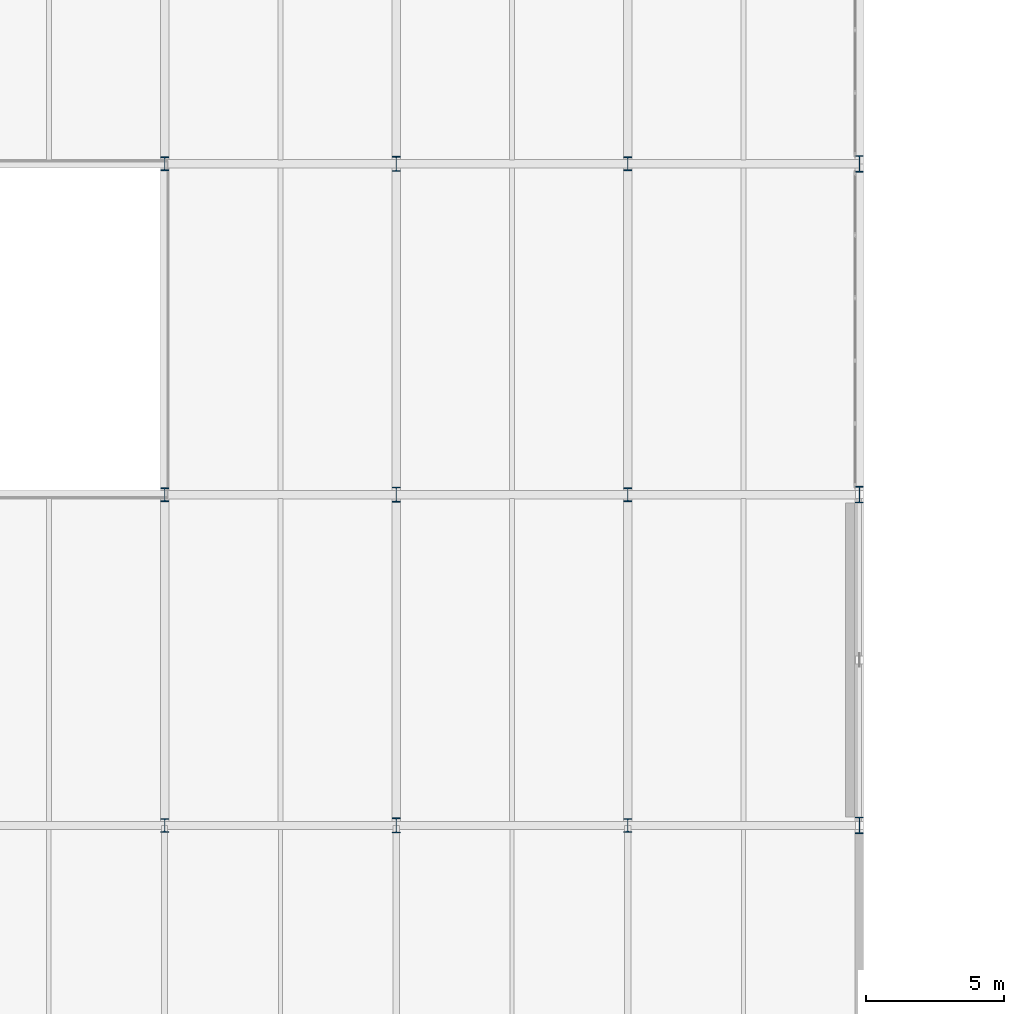
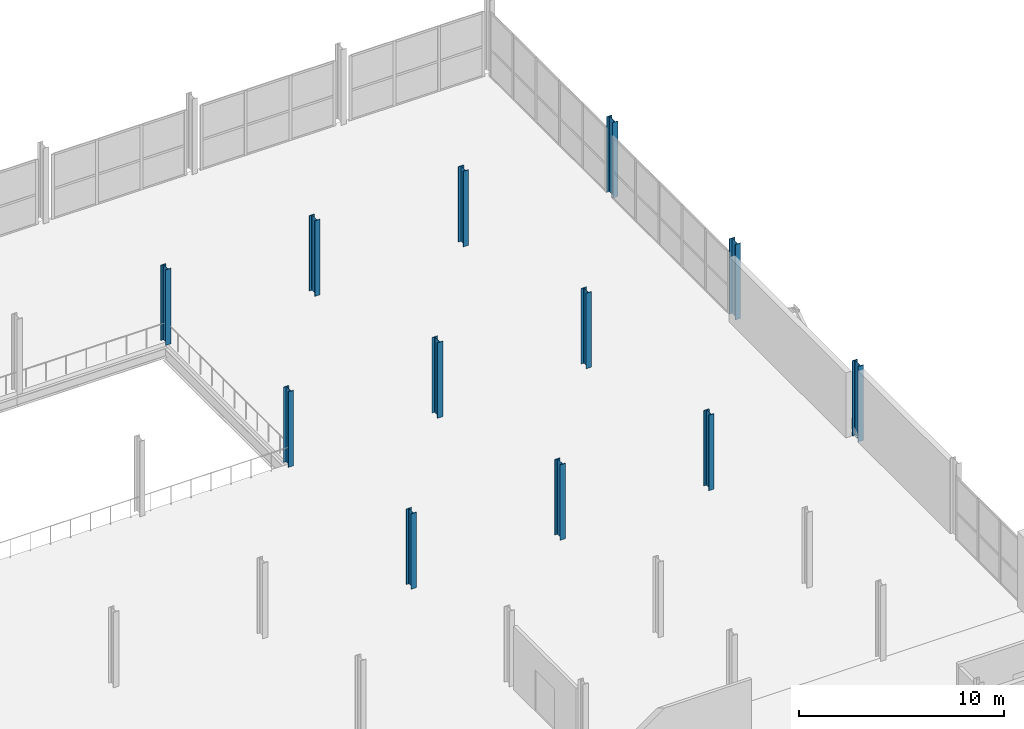
# One storey, part 6 of 109: 12 columns.
"""IFC4 building model written with IfcOpenShell, lengths in metres."""

from ifc_helpers import new_model, si_unit, direction, frame, origin, origin_2d, place, context, subcontext, project, spatial, i_section, extrude, material, material_profile, profile_set, type_object, element, save


model = new_model("IFC4")

# Units and contexts
model_context = context("Model", 3, precision=1e-05, world=origin(), true_north=direction((0.0, 1.0)))
body_context = subcontext(model_context, "Body", "Model", "MODEL_VIEW")
ifc_project = project(units=[si_unit("LENGTHUNIT", "METRE"), si_unit("AREAUNIT", "SQUARE_METRE"), si_unit("VOLUMEUNIT", "CUBIC_METRE"), si_unit("PLANEANGLEUNIT", "RADIAN"), si_unit("MASSUNIT", "GRAM", prefix="KILO")], contexts=[model_context])

# Site, building, storey
site_placement = place(None, origin())
site = spatial("IfcSite", under=ifc_project, at=site_placement, CompositionType="ELEMENT")
building_placement = place(site_placement, origin())
building = spatial("IfcBuilding", under=site, at=building_placement, Name="Veltarok Museum of Natural Sciences", CompositionType="ELEMENT")
storey_placement = place(building_placement, frame((0.0, 0.0, 17.39990234375)))
storey = spatial("IfcBuildingStorey", under=building, at=storey_placement, Name="L03", CompositionType="ELEMENT", Elevation=17.39990234375)

# Columns
ifc_material = material(Name="Steel S355J2", Category="steel")
ifc_material_profile_1 = material_profile(ifc_material, i_section(OverallWidth=0.300048828125, OverallDepth=0.550048828125, WebThickness=0.014892578125, FlangeThickness=0.029052734375, FilletRadius=0.027099609375, at=origin_2d()), Name="HEB 550")
ifc_profile_set_1 = profile_set([ifc_material_profile_1], Name="Steel S355J2")
column_type_1 = type_object("IfcColumnType", Name="Mid-Rise Hall Column HEB 550", PredefinedType="COLUMN", material=ifc_profile_set_1)
for number, where, z_axis, x_axis, name in (
    (1, (82.0, 36.0, 0.0), (0.0, 0.0, 1.0), (1.0, 0.0, 0.0), "Column COL-S10 L03 10/E"),
    (2, (82.0, 48.0, 0.0), (0.0, 0.0, 1.0), (1.0, 0.0, 0.0), "Column COL-S10 L03 10/F"),
    (3, (82.0, 60.0, 0.0), (0.0, 0.0, 1.0), (1.0, 0.0, 0.0), "Column COL-S10 L03 10/G"),
):
    element("IfcColumn", number, at=place(storey_placement, frame(where, z_axis=z_axis, x_axis=x_axis)), inside=storey, type_object=column_type_1, Name=name, PredefinedType="COLUMN", context=body_context, shape_type="SweptSolid", body=[
        extrude(i_section(OverallWidth=0.300048828125, OverallDepth=0.550048828125, WebThickness=0.014892578125, FlangeThickness=0.029052734375, FilletRadius=0.027099609375, at=origin_2d()), origin(), (0.0, 0.0, 1.0), 4.5),
    ])
ifc_material_profile_2 = material_profile(ifc_material, i_section(OverallWidth=0.300048828125, OverallDepth=0.60009765625, WebThickness=0.015380859375, FlangeThickness=0.030029296875, FilletRadius=0.027099609375, at=origin_2d()), Name="HEB 600")
ifc_profile_set_2 = profile_set([ifc_material_profile_2], Name="Steel S355J2")
column_type_2 = type_object("IfcColumnType", Name="Perimeter Passage Column HEB 600", PredefinedType="COLUMN", material=ifc_profile_set_2)
for number, where, z_axis, x_axis, name in (
    (4, (98.800048828125, 36.0, 0.0), (0.0, 0.0, 1.0), (1.0, 0.0, 0.0), "Column COL-EXT02 L03 12/E"),
    (5, (98.800048828125, 48.0, 0.0), (0.0, 0.0, 1.0), (1.0, 0.0, 0.0), "Column COL-EXT02 L03 12/F"),
    (6, (98.800048828125, 60.0, 0.0), (0.0, 0.0, 1.0), (1.0, 0.0, 0.0), "Column COL-EXT02 L03 12/G"),
):
    element("IfcColumn", number, at=place(storey_placement, frame(where, z_axis=z_axis, x_axis=x_axis)), inside=storey, type_object=column_type_2, Name=name, PredefinedType="COLUMN", context=body_context, shape_type="SweptSolid", body=[
        extrude(i_section(OverallWidth=0.300048828125, OverallDepth=0.60009765625, WebThickness=0.015380859375, FlangeThickness=0.030029296875, FilletRadius=0.027099609375, at=origin_2d()), origin(), (0.0, 0.0, 1.0), 4.5),
    ])
ifc_material_profile_3 = material_profile(ifc_material, i_section(OverallWidth=0.300048828125, OverallDepth=0.5, WebThickness=0.014404296875, FlangeThickness=0.028076171875, FilletRadius=0.027099609375, at=origin_2d()), Name="HEB 500")
ifc_profile_set_3 = profile_set([ifc_material_profile_3], Name="Steel S355J2")
column_type_3 = type_object("IfcColumnType", Name="Upper Gallery Column HEB 500", PredefinedType="COLUMN", material=ifc_profile_set_3)
for number, where, z_axis, x_axis, name in (
    (7, (73.60009765625, 36.0, 0.0), (0.0, 0.0, 1.0), (1.0, 0.0, 0.0), "Column COL-S05 L03 9/E"),
    (8, (73.60009765625, 48.0, 0.0), (0.0, 0.0, 1.0), (1.0, 0.0, 0.0), "Column COL-S05 L03 9/F"),
    (9, (73.60009765625, 60.0, 0.0), (0.0, 0.0, 1.0), (1.0, 0.0, 0.0), "Column COL-S05 L03 9/G"),
    (10, (90.39990234375, 36.0, 0.0), (0.0, 0.0, 1.0), (1.0, 0.0, 0.0), "Column COL-S05 L03 11/E"),
    (11, (90.39990234375, 48.0, 0.0), (0.0, 0.0, 1.0), (1.0, 0.0, 0.0), "Column COL-S05 L03 11/F"),
    (12, (90.39990234375, 60.0, 0.0), (0.0, 0.0, 1.0), (1.0, 0.0, 0.0), "Column COL-S05 L03 11/G"),
):
    element("IfcColumn", number, at=place(storey_placement, frame(where, z_axis=z_axis, x_axis=x_axis)), inside=storey, type_object=column_type_3, Name=name, PredefinedType="COLUMN", context=body_context, shape_type="SweptSolid", body=[
        extrude(i_section(OverallWidth=0.300048828125, OverallDepth=0.5, WebThickness=0.014404296875, FlangeThickness=0.028076171875, FilletRadius=0.027099609375, at=origin_2d()), origin(), (0.0, 0.0, 1.0), 4.5),
    ])

save(model, "model.ifc")
